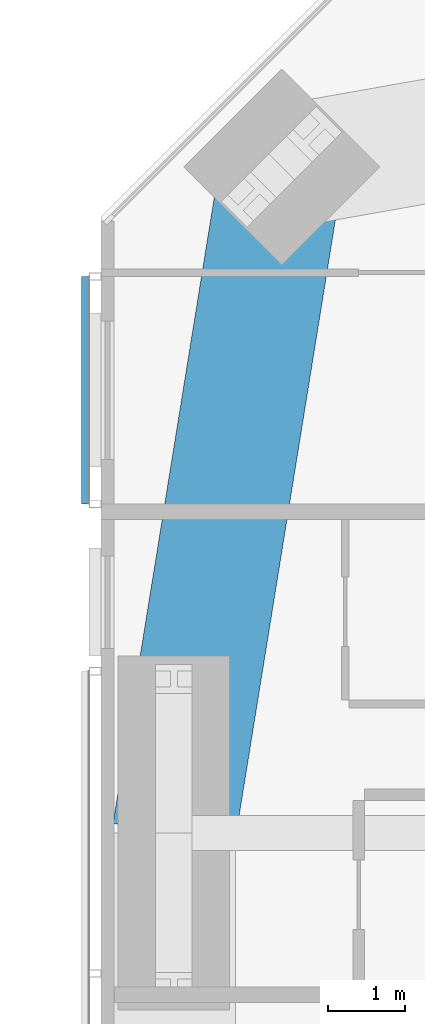
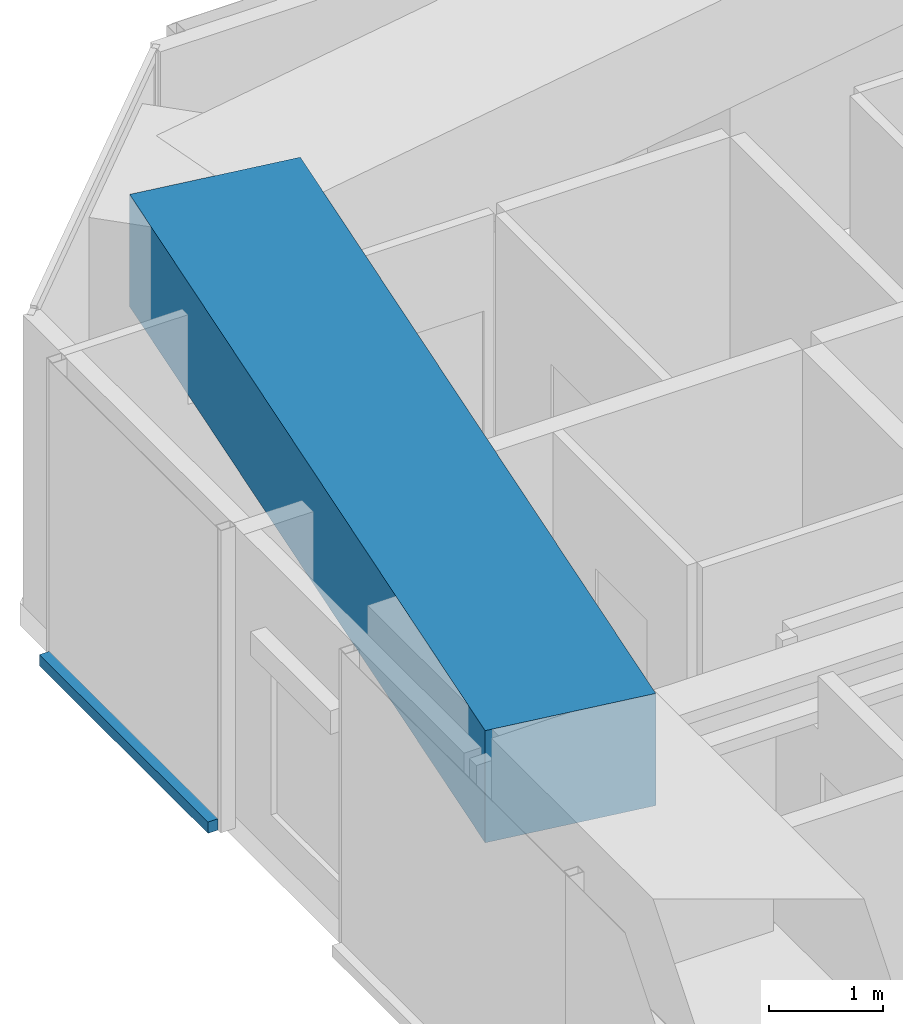
# One storey, part 6 of 23: 1 beam, 1 member, 1 element without a shape of its own.
"""IFC4 building model written with IfcOpenShell, lengths in metres."""

from ifc_helpers import new_model, si_unit, direction, frame, origin, origin_2d, place, context, subcontext, project, spatial, rectangle, extrude, material, material_profile, profile_set, type_object, element, aggregate, save


model = new_model("IFC4")

# Units and contexts
model_context = context("Model", 3, precision=1e-05, world=origin(), true_north=direction((0.0, 1.0)))
body_context = subcontext(model_context, "Body", "Model", "MODEL_VIEW")
ifc_project = project(units=[si_unit("LENGTHUNIT", "METRE"), si_unit("AREAUNIT", "SQUARE_METRE"), si_unit("VOLUMEUNIT", "CUBIC_METRE"), si_unit("PLANEANGLEUNIT", "RADIAN"), si_unit("MASSUNIT", "GRAM", prefix="KILO")], contexts=[model_context])

# Site, building, storey
site_placement = place(None, origin())
site = spatial("IfcSite", under=ifc_project, at=site_placement, CompositionType="ELEMENT")
building_placement = place(site_placement, origin())
building = spatial("IfcBuilding", under=site, at=building_placement, Name="Jalousie Tower", CompositionType="ELEMENT")
storey_placement = place(building_placement, frame((0.0, 0.0, 171.10009765625)))
storey = spatial("IfcBuildingStorey", under=building, at=storey_placement, Name="L46", CompositionType="ELEMENT", Elevation=171.10009765625)

# Beam
ifc_material_1 = material(Name="Concrete f'c 40 MPa", Category="concrete")
ifc_material_profile_1 = material_profile(ifc_material_1, rectangle(XDim=1.60009765625, YDim=1.199951171875, at=origin_2d()), Name="RC 1600x1200")
ifc_profile_set_1 = profile_set([ifc_material_profile_1], Name="Concrete f'c 40 MPa")
beam_type = type_object("IfcBeamType", Name="RC BEAM 1600x1200", PredefinedType="BEAM", material=ifc_profile_set_1)
beam_placement = place(storey_placement, frame((14.348388671875, 33.651611328125, 2.75), z_axis=(-0.159567878256, -0.987186959106, 0.0), x_axis=(0.987186959106, -0.159567878256, 0.0)))
element("IfcBeam", 1, at=beam_placement, inside=storey, type_object=beam_type, Name="Edge band beam 12-13 under L47", PredefinedType="BEAM", context=body_context, shape_type="SweptSolid", body=[
    extrude(rectangle(XDim=1.60009765625, YDim=1.199951171875, at=origin_2d()), origin(), (0.0, 0.0, 1.0), 8.763916015625),
])

# Curtain wall, member
ifc_material_2 = material(Name="Perforated aluminium sheet", Category="aluminium")
curtain_wall_type = type_object("IfcCurtainWallType", Name="SOLAR SCREEN SS-1", PredefinedType="USERDEFINED", material=ifc_material_2)
curtain_wall_placement = place(storey_placement, origin())
curtain_wall = element("IfcCurtainWall", 2, at=curtain_wall_placement, inside=storey, type_object=curtain_wall_type, Name="Solar screen L46", ObjectType="SOLAR SCREEN SS-1", PredefinedType="USERDEFINED")
ifc_material_3 = material(Name="Extruded aluminium screen rail", Category="aluminium")
ifc_material_profile_2 = material_profile(ifc_material_3, rectangle(XDim=0.1015625, YDim=0.1201171875, at=origin_2d()), Name="RAIL 102x120")
ifc_profile_set_2 = profile_set([ifc_material_profile_2], Name="Extruded aluminium screen rail")
member_type = type_object("IfcMemberType", Name="SOLAR SCREEN SS-1 TRANSOM", PredefinedType="USERDEFINED", material=ifc_profile_set_2)
member_placement = place(storey_placement, frame((11.8017578125, 32.228759765625, -0.06005859375), z_axis=(0.0, -1.0, 0.0), x_axis=(1.0, 0.0, 0.0)))
member = element("IfcMember", 3, at=member_placement, type_object=member_type, Name="SS1 rail", ObjectType="TRANSOM", PredefinedType="USERDEFINED", context=body_context, shape_type="SweptSolid", body=[
    extrude(rectangle(XDim=0.1015625, YDim=0.1201171875, at=origin_2d()), origin(), (0.0, 0.0, 1.0), 2.953857421875),
])
aggregate(curtain_wall, [member])

save(model, "model.ifc")
